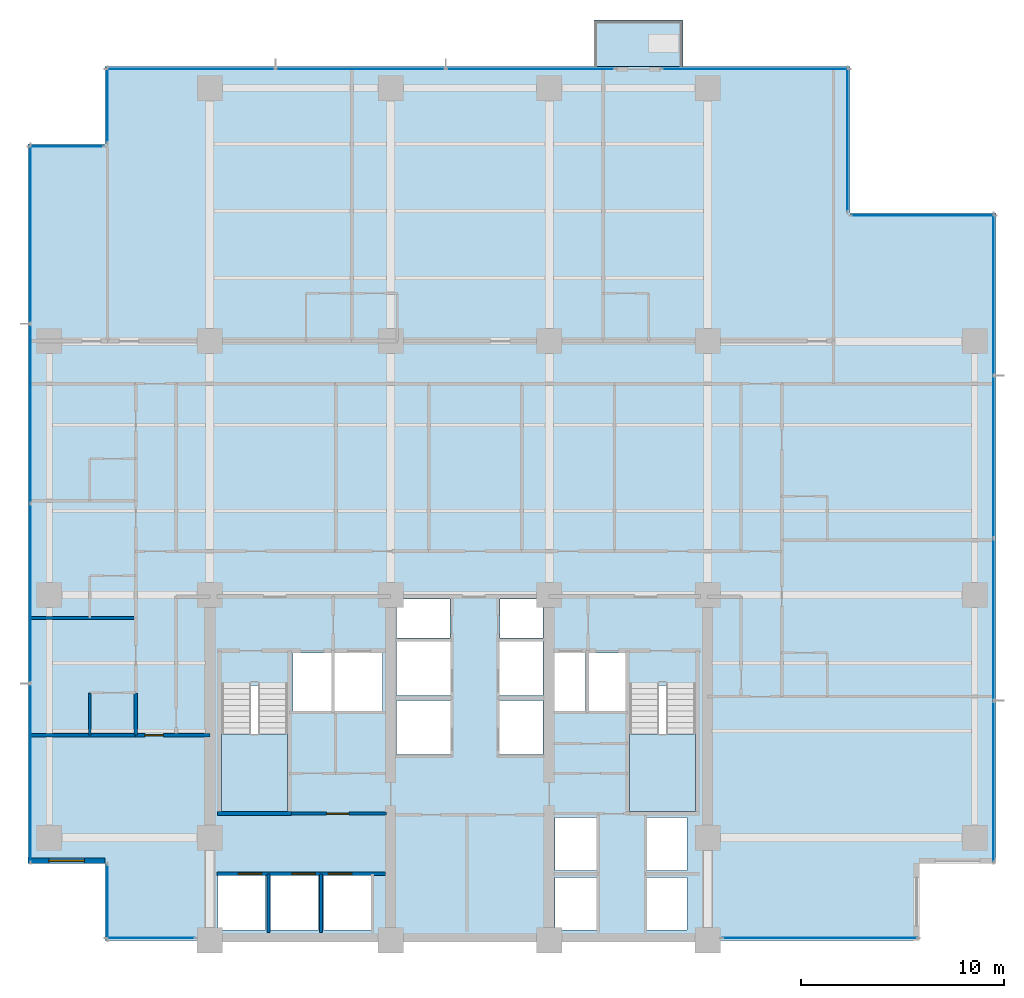
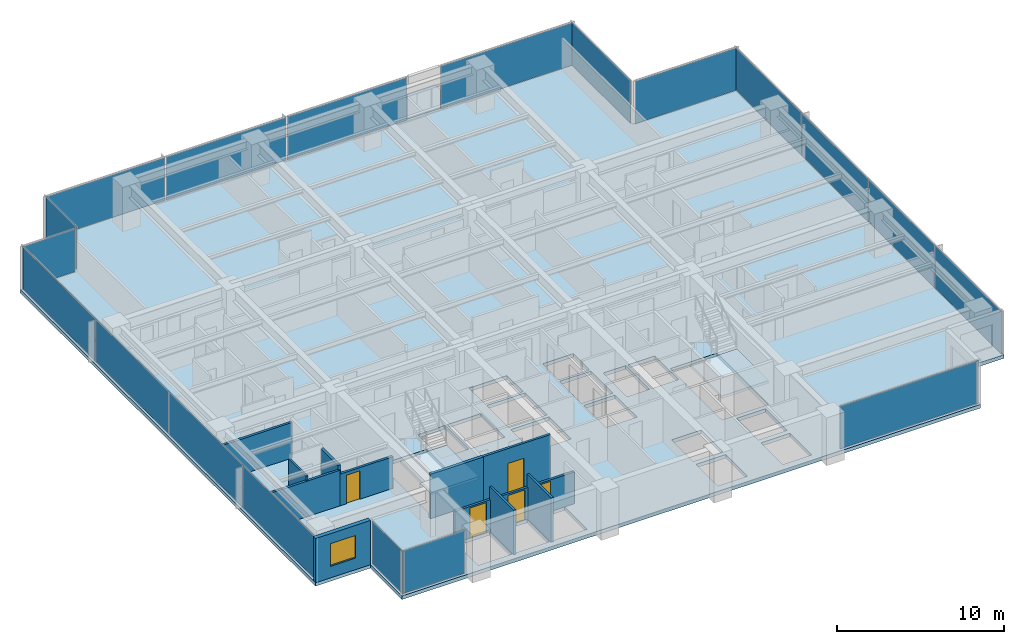
# One storey, part 7 of 17: 19 plates, 11 walls, 5 doors, 4 slabs, 1 window, 6 openings, 13 elements without a shape of their own.
"""IFC4 building model written with IfcOpenShell, lengths in metres."""

import ifcopenshell
import ifcopenshell.guid

model = None  # the IFC model being written
_history = None  # IfcOwnerHistory: only IFC2X3 demands one
_inside = {}  # id of a spatial element -> (the spatial element, [elements in it])
_under = {}  # id of a project, library or spatial element -> (it, [spatial elements below it])
_declared = {}  # id of a project -> (the project, [libraries it declares])
_typed = {}  # id of a type object -> (the type object, [elements of that type])
_made_of = {}  # id of a material, layer set ... -> (it, [elements and type objects made of it])


def new_model(schema):
    """Start an empty IFC model of exactly this schema.

    Asked for "IFC4X3", IfcOpenShell would pick the latest addendum, in which some entities
    have other attributes; the version numbers below select the first issue.
    IFC2X3 requires an IfcOwnerHistory on every rooted entity: one is made here for all.
    """
    global model, _history
    if schema == "IFC4X3":
        model = ifcopenshell.file(schema_version=(4, 3, 0, 0))
    else:
        model = ifcopenshell.file(schema=schema)
    _inside.clear()
    _under.clear()
    _declared.clear()
    _typed.clear()
    _made_of.clear()
    _history = None
    if model.schema == "IFC2X3":
        org = make("IfcOrganization", Name="unknown")
        user = make(
            "IfcPersonAndOrganization",
            ThePerson=make("IfcPerson", FamilyName="unknown"),
            TheOrganization=org,
        )
        app = make(
            "IfcApplication",
            ApplicationDeveloper=org,
            Version="unknown",
            ApplicationFullName="unknown",
            ApplicationIdentifier="unknown",
        )
        _history = make(
            "IfcOwnerHistory",
            OwningUser=user,
            OwningApplication=app,
            ChangeAction="ADDED",
            CreationDate=0,
        )
    return model


def make(cls, **values):
    """One entity of the class cls with the attributes given. An attribute that is None is left unset."""
    return model.create_entity(
        cls, **{name: value for name, value in values.items() if value is not None}
    )


def rooted(cls, **values):
    """An entity with a GlobalId (a new one), such as an element, a storey or a relation."""
    return make(cls, GlobalId=ifcopenshell.guid.new(), OwnerHistory=_history, **values)


def si_unit(unit_type, name, prefix=None):
    """IfcSIUnit, for example si_unit("LENGTHUNIT", "METRE", prefix="MILLI")."""
    return make("IfcSIUnit", UnitType=unit_type, Prefix=prefix, Name=name)


def assignment(units):
    """IfcUnitAssignment: the units of a project."""
    return None if units is None else make("IfcUnitAssignment", Units=units)


def point(xyz):
    """IfcCartesianPoint."""
    return None if xyz is None else make("IfcCartesianPoint", Coordinates=xyz)


def direction(xyz):
    """IfcDirection."""
    return None if xyz is None else make("IfcDirection", DirectionRatios=xyz)


def frame(location, z_axis=None, x_axis=None):
    """IfcAxis2Placement3D, a coordinate frame: its origin and axes. An axis left out is left unset."""
    return make(
        "IfcAxis2Placement3D",
        Location=point(location),
        Axis=direction(z_axis),
        RefDirection=direction(x_axis),
    )


def frame_2d(location, x_axis=None):
    """IfcAxis2Placement2D, a coordinate frame in the plane: its origin and x axis."""
    return make(
        "IfcAxis2Placement2D", Location=point(location), RefDirection=direction(x_axis)
    )


def origin():
    """The frame at (0, 0, 0) with its axes left unset."""
    return frame((0.0, 0.0, 0.0))


def origin_2d():
    """The frame at (0, 0) in the plane with its x axis left unset."""
    return frame_2d((0.0, 0.0))


def place(relative_to, where):
    """IfcLocalPlacement: puts the frame where relative to a parent placement (None: the world)."""
    return make(
        "IfcLocalPlacement", PlacementRelTo=relative_to, RelativePlacement=where
    )


def context(
    kind, dimensions, precision=None, world=None, true_north=None, identifier=None
):
    """IfcGeometricRepresentationContext, for example the 3D "Model" context."""
    return make(
        "IfcGeometricRepresentationContext",
        ContextIdentifier=identifier,
        ContextType=kind,
        CoordinateSpaceDimension=dimensions,
        Precision=precision,
        WorldCoordinateSystem=world,
        TrueNorth=true_north,
    )


def subcontext(parent, identifier, kind, view, scale=None):
    """IfcGeometricRepresentationSubContext, for example "Body" below "Model"."""
    return make(
        "IfcGeometricRepresentationSubContext",
        ContextIdentifier=identifier,
        ContextType=kind,
        ParentContext=parent,
        TargetScale=scale,
        TargetView=view,
    )


def project(units=None, contexts=None):
    """IfcProject with its units and contexts."""
    return rooted(
        "IfcProject",
        Name="project",
        RepresentationContexts=contexts,
        UnitsInContext=assignment(units),
    )


def spatial(cls, under=None, at=None, **own):
    """A site, building, storey or space (cls), placed at a placement, below another one or the project."""
    s = rooted(cls, ObjectPlacement=at, **own)
    if under is not None:
        _under.setdefault(under.id(), (under, []))[1].append(s)
    return s


def polyline(points):
    """IfcPolyline through the points."""
    return make("IfcPolyline", Points=[point(p) for p in points])


def profile(cls, at=None, kind="AREA", **sizes):
    """A parametric profile (cls). Its sizes go by their IFC names, for example OverallWidth=200.0."""
    return make(cls, ProfileType=kind, Position=at, **sizes)


def rectangle(**sizes):
    """IfcRectangleProfileDef."""
    return profile("IfcRectangleProfileDef", **sizes)


def outline(outer, holes=None, kind="AREA"):
    """IfcArbitraryClosedProfileDef: a profile drawn as a closed curve; with holes, ...WithVoids."""
    if holes is None:
        return make("IfcArbitraryClosedProfileDef", ProfileType=kind, OuterCurve=outer)
    return make(
        "IfcArbitraryProfileDefWithVoids",
        ProfileType=kind,
        OuterCurve=outer,
        InnerCurves=holes,
    )


def extrude(swept, where, along, depth):
    """IfcExtrudedAreaSolid: the profile swept, set in the frame where, extruded along a direction by depth."""
    return make(
        "IfcExtrudedAreaSolid",
        SweptArea=swept,
        Position=where,
        ExtrudedDirection=direction(along),
        Depth=depth,
    )


def shape(context_of_items, identifier, shape_type, items):
    """IfcShapeRepresentation: the items that make up one representation, for example the "Body"."""
    return make(
        "IfcShapeRepresentation",
        ContextOfItems=context_of_items,
        RepresentationIdentifier=identifier,
        RepresentationType=shape_type,
        Items=items,
    )


def material(Name=None, Category=None):
    """IfcMaterial."""
    return make("IfcMaterial", Name=Name, Category=Category)


def layer(
    of_material, thickness, ventilated=None, Name=None, Category=None, Priority=None
):
    """IfcMaterialLayer: one layer of a wall or slab, of a material (None: an air gap)."""
    return make(
        "IfcMaterialLayer",
        Material=of_material,
        LayerThickness=thickness,
        IsVentilated=ventilated,
        Name=Name,
        Category=Category,
        Priority=Priority,
    )


def layer_set(layers, Name=None):
    """IfcMaterialLayerSet."""
    return make("IfcMaterialLayerSet", MaterialLayers=layers, LayerSetName=Name)


def made_of(thing, what):
    """Note that an element or type object is made of a material, layer set ...; save() writes the relation."""
    if what is not None:
        _made_of.setdefault(what.id(), (what, []))[1].append(thing)
    return thing


def type_object(cls, material=None, **own):
    """A type object (cls), such as IfcWallType, which elements share."""
    return made_of(rooted(cls, **own), material)


def element(
    cls,
    number,
    at=None,
    inside=None,
    cuts=None,
    type_object=None,
    material=None,
    context=None,
    identifier="Body",
    shape_type=None,
    held_by="IfcProductDefinitionShape",
    body=None,
    shapes=None,
    **own,
):
    """One element of the class cls, such as IfcWall. Its Tag is "e" and its number.

    at: its placement. inside: the storey or other place that contains it. cuts: it is an
    opening in that element (IfcRelVoidsElement). A single representation is given by context,
    identifier, shape_type and body (its items); several are given by shapes. held_by: the class
    of the entity that holds the representations. save() writes the other relations.
    """
    e = rooted(cls, Tag="e%d" % number, ObjectPlacement=at, **own)
    if body is not None:
        shapes = [shape(context, identifier, shape_type, body)]
    if shapes is not None:
        e.Representation = make(held_by, Representations=shapes)
    if inside is not None:
        _inside.setdefault(inside.id(), (inside, []))[1].append(e)
    if cuts is not None:
        rooted(
            "IfcRelVoidsElement", RelatingBuildingElement=cuts, RelatedOpeningElement=e
        )
    if type_object is not None:
        _typed.setdefault(type_object.id(), (type_object, []))[1].append(e)
    return made_of(e, material)


def fill(opening, filler):
    """IfcRelFillsElement: the door or window that sits in an opening."""
    return rooted(
        "IfcRelFillsElement",
        RelatingOpeningElement=opening,
        RelatedBuildingElement=filler,
    )


def aggregate(whole, parts):
    """IfcRelAggregates: a whole, such as a stair, and the parts it consists of."""
    return rooted("IfcRelAggregates", RelatingObject=whole, RelatedObjects=parts)


def save(model, path):
    """Write the relations noted so far, then the file.

    IfcRelAggregates (storeys below a building ...), IfcRelContainedInSpatialStructure (elements
    in a storey), IfcRelDefinesByType, IfcRelAssociatesMaterial and IfcRelDeclares: one each for
    every whole, place, type object, material and project.
    """
    for whole, parts in _under.values():
        aggregate(whole, parts)
    for where, things in _inside.values():
        rooted(
            "IfcRelContainedInSpatialStructure",
            RelatedElements=things,
            RelatingStructure=where,
        )
    for kind, things in _typed.values():
        rooted("IfcRelDefinesByType", RelatedObjects=things, RelatingType=kind)
    for what, things in _made_of.values():
        rooted("IfcRelAssociatesMaterial", RelatedObjects=things, RelatingMaterial=what)
    for by, libraries in _declared.values():
        rooted("IfcRelDeclares", RelatingContext=by, RelatedDefinitions=libraries)
    model.write(path)


model = new_model("IFC4")

# Units and contexts
model_context = context("Model", 3, precision=1e-05, world=origin(), true_north=direction((0.0, 1.0)))
body_context = subcontext(model_context, "Body", "Model", "MODEL_VIEW")
ifc_project = project(units=[si_unit("LENGTHUNIT", "METRE"), si_unit("AREAUNIT", "SQUARE_METRE"), si_unit("VOLUMEUNIT", "CUBIC_METRE"), si_unit("PLANEANGLEUNIT", "RADIAN"), si_unit("MASSUNIT", "GRAM", prefix="KILO")], contexts=[model_context])

# Site, building, storey
site_placement = place(None, origin())
site = spatial("IfcSite", under=ifc_project, at=site_placement, CompositionType="ELEMENT")
building_placement = place(site_placement, origin())
building = spatial("IfcBuilding", under=site, at=building_placement, Name="Qalmaran Belvedere Hotel", CompositionType="ELEMENT")
storey_placement = place(building_placement, frame((0.0, 0.0, 112.699951171875)))
storey = spatial("IfcBuildingStorey", under=building, at=storey_placement, Name="L28", CompositionType="ELEMENT", Elevation=112.699951171875)

# Curtain wall, plate
ifc_material_1 = material(Name="Anodised Bronze Aluminium", Category="aluminium")
ifc_layer_1 = layer(ifc_material_1, 0.199951171875, Name="Anodised Bronze Aluminium")
ifc_layer_set_1 = layer_set([ifc_layer_1], Name="Anodised Bronze Aluminium")
curtain_wall_type = type_object("IfcCurtainWallType", Name="CW3-TOWER-LOWMID", PredefinedType="NOTDEFINED", material=ifc_layer_set_1)
curtain_wall_1_placement = place(storey_placement, origin())
curtain_wall_1 = element("IfcCurtainWall", 1, at=curtain_wall_1_placement, inside=storey, type_object=curtain_wall_type, Name="L28 Curtain Wall CW3", PredefinedType="NOTDEFINED")
ifc_material_2 = material(Name="Solar-Control Double Glazing", Category="glass")
ifc_layer_2 = layer(ifc_material_2, 0.028076171875, Name="Solar-Control Double Glazing")
ifc_layer_set_2 = layer_set([ifc_layer_2], Name="Solar-Control Double Glazing")
plate_type = type_object("IfcPlateType", Name="CWP-VISION-28", PredefinedType="CURTAIN_PANEL", material=ifc_layer_set_2)
plate_1_placement = place(storey_placement, frame((17.392578125, 3.6201171875, 0.06494140625), z_axis=(0.0, 0.0, 1.0), x_axis=(1.0, 0.0, 0.0)))
plate_1 = element("IfcPlate", 2, at=plate_1_placement, type_object=plate_type, Name="CW3 panel 1.1", PredefinedType="CURTAIN_PANEL", context=body_context, shape_type="SweptSolid", body=[
    extrude(rectangle(XDim=4.344970703125, YDim=0.028076171875, at=origin_2d()), origin(), (0.0, 0.0, 1.0), 3.110107421875),
])
aggregate(curtain_wall_1, [plate_1])

curtain_wall_2_placement = place(storey_placement, origin())
curtain_wall_2 = element("IfcCurtainWall", 3, at=curtain_wall_2_placement, inside=storey, type_object=curtain_wall_type, Name="L28 Curtain Wall CW3", PredefinedType="NOTDEFINED")
plate_2_placement = place(storey_placement, frame((50.33251953125, 3.6201171875, 0.06494140625), z_axis=(0.0, 0.0, 1.0), x_axis=(1.0, 0.0, 0.0)))
plate_2 = element("IfcPlate", 4, at=plate_2_placement, type_object=plate_type, Name="CW3 panel 1.1", PredefinedType="CURTAIN_PANEL", context=body_context, shape_type="SweptSolid", body=[
    extrude(rectangle(XDim=9.594970703125, YDim=0.028076171875, at=origin_2d()), origin(), (0.0, 0.0, 1.0), 3.110107421875),
])
aggregate(curtain_wall_2, [plate_2])

# Curtain wall, plates
curtain_wall_3_placement = place(storey_placement, origin())
curtain_wall_3 = element("IfcCurtainWall", 5, at=curtain_wall_3_placement, inside=storey, type_object=curtain_wall_type, Name="L28 Curtain Wall CW3", PredefinedType="NOTDEFINED")
plate_3_placement = place(storey_placement, frame((58.8798828125, 11.3173828125, 0.06494140625), z_axis=(0.0, 0.0, 1.0), x_axis=(0.0, 1.0, 0.0)))
plate_3 = element("IfcPlate", 6, at=plate_3_placement, type_object=plate_type, Name="CW3 panel 1.1", PredefinedType="CURTAIN_PANEL", context=body_context, shape_type="SweptSolid", body=[
    extrude(rectangle(XDim=7.89501953125, YDim=0.028076171875, at=origin_2d()), origin(), (0.0, 0.0, 1.0), 3.110107421875),
])
plate_4_placement = place(storey_placement, frame((58.8798828125, 19.300048828125, 0.06494140625), z_axis=(0.0, 0.0, 1.0), x_axis=(0.0, 1.0, 0.0)))
plate_4 = element("IfcPlate", 7, at=plate_4_placement, type_object=plate_type, Name="CW3 panel 2.1", PredefinedType="CURTAIN_PANEL", context=body_context, shape_type="SweptSolid", body=[
    extrude(rectangle(XDim=7.929931640625, YDim=0.028076171875, at=origin_2d()), origin(), (0.0, 0.0, 1.0), 3.110107421875),
])
plate_5_placement = place(storey_placement, frame((58.8798828125, 27.300048828125, 0.06494140625), z_axis=(0.0, 0.0, 1.0), x_axis=(0.0, 1.0, 0.0)))
plate_5 = element("IfcPlate", 8, at=plate_5_placement, type_object=plate_type, Name="CW3 panel 3.1", PredefinedType="CURTAIN_PANEL", context=body_context, shape_type="SweptSolid", body=[
    extrude(rectangle(XDim=7.929931640625, YDim=0.028076171875, at=origin_2d()), origin(), (0.0, 0.0, 1.0), 3.110107421875),
])
plate_6_placement = place(storey_placement, frame((58.8798828125, 35.282470703125, 0.06494140625), z_axis=(0.0, 0.0, 1.0), x_axis=(0.0, 1.0, 0.0)))
plate_6 = element("IfcPlate", 9, at=plate_6_placement, type_object=plate_type, Name="CW3 panel 4.1", PredefinedType="CURTAIN_PANEL", context=body_context, shape_type="SweptSolid", body=[
    extrude(rectangle(XDim=7.89501953125, YDim=0.028076171875, at=origin_2d()), origin(), (0.0, 0.0, 1.0), 3.110107421875),
])
aggregate(curtain_wall_3, [plate_3, plate_4, plate_5, plate_6])

# Curtain wall, plate
curtain_wall_4_placement = place(storey_placement, origin())
curtain_wall_4 = element("IfcCurtainWall", 10, at=curtain_wall_4_placement, inside=storey, type_object=curtain_wall_type, Name="L28 Curtain Wall CW3", PredefinedType="NOTDEFINED")
plate_7_placement = place(storey_placement, frame((55.39990234375, 39.179931640625, 0.06494140625), z_axis=(0.0, 0.0, 1.0), x_axis=(-1.0, 0.0, 0.0)))
plate_7 = element("IfcPlate", 11, at=plate_7_placement, type_object=plate_type, Name="CW3 panel 1.1", PredefinedType="CURTAIN_PANEL", context=body_context, shape_type="SweptSolid", body=[
    extrude(rectangle(XDim=7.06005859375, YDim=0.028076171875, at=origin_2d()), origin(), (0.0, 0.0, 1.0), 3.110107421875),
])
aggregate(curtain_wall_4, [plate_7])

curtain_wall_5_placement = place(storey_placement, origin())
curtain_wall_5 = element("IfcCurtainWall", 12, at=curtain_wall_5_placement, inside=storey, type_object=curtain_wall_type, Name="L28 Curtain Wall CW3", PredefinedType="NOTDEFINED")
plate_8_placement = place(storey_placement, frame((51.679931640625, 42.89990234375, 0.06494140625), z_axis=(0.0, 0.0, 1.0), x_axis=(0.0, 1.0, 0.0)))
plate_8 = element("IfcPlate", 13, at=plate_8_placement, type_object=plate_type, Name="CW3 panel 1.1", PredefinedType="CURTAIN_PANEL", context=body_context, shape_type="SweptSolid", body=[
    extrude(rectangle(XDim=7.06005859375, YDim=0.028076171875, at=origin_2d()), origin(), (0.0, 0.0, 1.0), 3.110107421875),
])
aggregate(curtain_wall_5, [plate_8])

# Curtain wall, plates
curtain_wall_6_placement = place(storey_placement, origin())
curtain_wall_6 = element("IfcCurtainWall", 14, at=curtain_wall_6_placement, inside=storey, type_object=curtain_wall_type, Name="L28 Curtain Wall CW3", PredefinedType="NOTDEFINED")
plate_9_placement = place(storey_placement, frame((36.0908203125, 46.3798828125, 0.06494140625), z_axis=(0.0, 0.0, 1.0), x_axis=(-1.0, 0.0, 0.0)))
plate_9 = element("IfcPlate", 15, at=plate_9_placement, type_object=plate_type, Name="CW3 panel 1.1", PredefinedType="CURTAIN_PANEL", context=body_context, shape_type="SweptSolid", body=[
    extrude(rectangle(XDim=8.2783203125, YDim=0.028076171875, at=origin_2d()), origin(), (0.0, 0.0, 1.0), 3.110107421875),
])
plate_10_placement = place(storey_placement, frame((27.72509765625, 46.3798828125, 0.06494140625), z_axis=(0.0, 0.0, 1.0), x_axis=(-1.0, 0.0, 0.0)))
plate_10 = element("IfcPlate", 16, at=plate_10_placement, type_object=plate_type, Name="CW3 panel 2.1", PredefinedType="CURTAIN_PANEL", context=body_context, shape_type="SweptSolid", body=[
    extrude(rectangle(XDim=8.313232421875, YDim=0.028076171875, at=origin_2d()), origin(), (0.0, 0.0, 1.0), 3.110107421875),
])
plate_11_placement = place(storey_placement, frame((19.359130859375, 46.3798828125, 0.06494140625), z_axis=(0.0, 0.0, 1.0), x_axis=(-1.0, 0.0, 0.0)))
plate_11 = element("IfcPlate", 17, at=plate_11_placement, type_object=plate_type, Name="CW3 panel 3.1", PredefinedType="CURTAIN_PANEL", context=body_context, shape_type="SweptSolid", body=[
    extrude(rectangle(XDim=8.2783203125, YDim=0.028076171875, at=origin_2d()), origin(), (0.0, 0.0, 1.0), 3.110107421875),
])
aggregate(curtain_wall_6, [plate_9, plate_10, plate_11])

# Curtain wall, plate
curtain_wall_7_placement = place(storey_placement, origin())
curtain_wall_7 = element("IfcCurtainWall", 18, at=curtain_wall_7_placement, inside=storey, type_object=curtain_wall_type, Name="L28 Curtain Wall CW3", PredefinedType="NOTDEFINED")
plate_12_placement = place(storey_placement, frame((47.14990234375, 46.3798828125, 0.06494140625), z_axis=(0.0, 0.0, 1.0), x_axis=(-1.0, 0.0, 0.0)))
plate_12 = element("IfcPlate", 19, at=plate_12_placement, type_object=plate_type, Name="CW3 panel 1.1", PredefinedType="CURTAIN_PANEL", context=body_context, shape_type="SweptSolid", body=[
    extrude(rectangle(XDim=9.159912109375, YDim=0.028076171875, at=origin_2d()), origin(), (0.0, 0.0, 1.0), 3.110107421875),
])
aggregate(curtain_wall_7, [plate_12])

curtain_wall_8_placement = place(storey_placement, origin())
curtain_wall_8 = element("IfcCurtainWall", 20, at=curtain_wall_8_placement, inside=storey, type_object=curtain_wall_type, Name="L28 Curtain Wall CW3", PredefinedType="NOTDEFINED")
plate_13_placement = place(storey_placement, frame((15.27001953125, 44.60009765625, 0.06494140625), z_axis=(0.0, 0.0, 1.0), x_axis=(0.0, -1.0, 0.0)))
plate_13 = element("IfcPlate", 21, at=plate_13_placement, type_object=plate_type, Name="CW3 panel 1.1", PredefinedType="CURTAIN_PANEL", context=body_context, shape_type="SweptSolid", body=[
    extrude(rectangle(XDim=3.659912109375, YDim=0.028076171875, at=origin_2d()), origin(), (0.0, 0.0, 1.0), 3.110107421875),
])
aggregate(curtain_wall_8, [plate_13])

curtain_wall_9_placement = place(storey_placement, origin())
curtain_wall_9 = element("IfcCurtainWall", 22, at=curtain_wall_9_placement, inside=storey, type_object=curtain_wall_type, Name="L28 Curtain Wall CW3", PredefinedType="NOTDEFINED")
plate_14_placement = place(storey_placement, frame((13.25, 42.580078125, 0.06494140625), z_axis=(0.0, 0.0, 1.0), x_axis=(-1.0, 0.0, 0.0)))
plate_14 = element("IfcPlate", 23, at=plate_14_placement, type_object=plate_type, Name="CW3 panel 1.1", PredefinedType="CURTAIN_PANEL", context=body_context, shape_type="SweptSolid", body=[
    extrude(rectangle(XDim=3.659912109375, YDim=0.028076171875, at=origin_2d()), origin(), (0.0, 0.0, 1.0), 3.110107421875),
])
aggregate(curtain_wall_9, [plate_14])

# Curtain wall, plates
curtain_wall_10_placement = place(storey_placement, origin())
curtain_wall_10 = element("IfcCurtainWall", 24, at=curtain_wall_10_placement, inside=storey, type_object=curtain_wall_type, Name="L28 Curtain Wall CW3", PredefinedType="NOTDEFINED")
plate_15_placement = place(storey_placement, frame((11.469970703125, 38.257568359375, 0.06494140625), z_axis=(0.0, 0.0, 1.0), x_axis=(0.0, -1.0, 0.0)))
plate_15 = element("IfcPlate", 25, at=plate_15_placement, type_object=plate_type, Name="CW3 panel 1.1", PredefinedType="CURTAIN_PANEL", context=body_context, shape_type="SweptSolid", body=[
    extrude(rectangle(XDim=8.7451171875, YDim=0.028076171875, at=origin_2d()), origin(), (0.0, 0.0, 1.0), 3.110107421875),
])
plate_16_placement = place(storey_placement, frame((11.469970703125, 29.425048828125, 0.06494140625), z_axis=(0.0, 0.0, 1.0), x_axis=(0.0, -1.0, 0.0)))
plate_16 = element("IfcPlate", 26, at=plate_16_placement, type_object=plate_type, Name="CW3 panel 2.1", PredefinedType="CURTAIN_PANEL", context=body_context, shape_type="SweptSolid", body=[
    extrude(rectangle(XDim=8.780029296875, YDim=0.028076171875, at=origin_2d()), origin(), (0.0, 0.0, 1.0), 3.110107421875),
])
plate_17_placement = place(storey_placement, frame((11.469970703125, 20.574951171875, 0.06494140625), z_axis=(0.0, 0.0, 1.0), x_axis=(0.0, -1.0, 0.0)))
plate_17 = element("IfcPlate", 27, at=plate_17_placement, type_object=plate_type, Name="CW3 panel 3.1", PredefinedType="CURTAIN_PANEL", context=body_context, shape_type="SweptSolid", body=[
    extrude(rectangle(XDim=8.780029296875, YDim=0.028076171875, at=origin_2d()), origin(), (0.0, 0.0, 1.0), 3.110107421875),
])
plate_18_placement = place(storey_placement, frame((11.469970703125, 11.742431640625, 0.06494140625), z_axis=(0.0, 0.0, 1.0), x_axis=(0.0, -1.0, 0.0)))
plate_18 = element("IfcPlate", 28, at=plate_18_placement, type_object=plate_type, Name="CW3 panel 4.1", PredefinedType="CURTAIN_PANEL", context=body_context, shape_type="SweptSolid", body=[
    extrude(rectangle(XDim=8.7451171875, YDim=0.028076171875, at=origin_2d()), origin(), (0.0, 0.0, 1.0), 3.110107421875),
])
aggregate(curtain_wall_10, [plate_15, plate_16, plate_17, plate_18])

# Curtain wall, plate
curtain_wall_11_placement = place(storey_placement, origin())
curtain_wall_11 = element("IfcCurtainWall", 29, at=curtain_wall_11_placement, inside=storey, type_object=curtain_wall_type, Name="L28 Curtain Wall CW3", PredefinedType="NOTDEFINED")
plate_19_placement = place(storey_placement, frame((15.27001953125, 5.39990234375, 0.06494140625), z_axis=(0.0, 0.0, 1.0), x_axis=(0.0, -1.0, 0.0)))
plate_19 = element("IfcPlate", 30, at=plate_19_placement, type_object=plate_type, Name="CW3 panel 1.1", PredefinedType="CURTAIN_PANEL", context=body_context, shape_type="SweptSolid", body=[
    extrude(rectangle(XDim=3.659912109375, YDim=0.028076171875, at=origin_2d()), origin(), (0.0, 0.0, 1.0), 3.110107421875),
])
aggregate(curtain_wall_11, [plate_19])

# Slab
ifc_material_3 = material(Name="Concrete C40/50", Category="concrete")
ifc_layer_3 = layer(ifc_material_3, 0.219970703125, Name="Concrete C40/50")
ifc_layer_set_3 = layer_set([ifc_layer_3], Name="Concrete C40/50")
slab_type_1 = type_object("IfcSlabType", Name="SLB-BAL-220", PredefinedType="USERDEFINED", material=ifc_layer_set_3)
slab_1_placement = place(storey_placement, frame((0.0, 0.0, -0.219970703125)))
element("IfcSlab", 31, at=slab_1_placement, inside=storey, type_object=slab_type_1, Name="L28 Planted Tree Balcony Slab 1", ObjectType="BALCONY", PredefinedType="USERDEFINED", context=body_context, shape_type="SweptSolid", body=[
    extrude(outline(polyline([(39.199951171875, 46.5), (43.60009765625, 46.5), (43.60009765625, 48.800048828125), (39.199951171875, 48.800048828125), (39.199951171875, 46.5)])), origin(), (0.0, 0.0, 1.0), 0.219970703125),
])

# Stair, slab
stair_type_1 = type_object("IfcStairType", Name="STR-ST-1-1450-R1750", PredefinedType="HALF_TURN_STAIR", material=ifc_material_3)
stair_1_placement = place(storey_placement, origin())
stair_1 = element("IfcStair", 32, at=stair_1_placement, inside=storey, type_object=stair_type_1, Name="L28 West Core Exit Stair ST-1", PredefinedType="HALF_TURN_STAIR")
ifc_layer_4 = layer(ifc_material_3, 0.199951171875, Name="Concrete C40/50")
ifc_layer_set_4 = layer_set([ifc_layer_4], Name="Concrete C40/50")
slab_type_2 = type_object("IfcSlabType", Name="SLB-STAIR-LANDING-200", PredefinedType="LANDING", material=ifc_layer_set_4)
slab_2_placement = place(storey_placement, frame((0.0, 0.0, 1.550048828125)))
slab_2 = element("IfcSlab", 33, at=slab_2_placement, type_object=slab_type_2, Name="ST-1 landing 1", PredefinedType="LANDING", context=body_context, shape_type="SweptSolid", body=[
    extrude(outline(polyline([(20.8798828125, 13.669921875), (20.8798828125, 9.85009765625), (24.1201171875, 9.85009765625), (24.1201171875, 13.669921875), (20.8798828125, 13.669921875)])), origin(), (0.0, 0.0, 1.0), 0.199951171875),
])
aggregate(stair_1, [slab_2])

stair_type_2 = type_object("IfcStairType", Name="STR-ST-2-1450-R1750", PredefinedType="HALF_TURN_STAIR", material=ifc_material_3)
stair_2_placement = place(storey_placement, origin())
stair_2 = element("IfcStair", 34, at=stair_2_placement, inside=storey, type_object=stair_type_2, Name="L28 East Core Exit Stair ST-2", PredefinedType="HALF_TURN_STAIR")
slab_3_placement = place(storey_placement, frame((0.0, 0.0, 1.550048828125)))
slab_3 = element("IfcSlab", 35, at=slab_3_placement, type_object=slab_type_2, Name="ST-2 landing 1", PredefinedType="LANDING", context=body_context, shape_type="SweptSolid", body=[
    extrude(outline(polyline([(40.9599609375, 13.669921875), (40.9599609375, 9.85009765625), (44.199951171875, 9.85009765625), (44.199951171875, 13.669921875), (40.9599609375, 13.669921875)])), origin(), (0.0, 0.0, 1.0), 0.199951171875),
])
aggregate(stair_2, [slab_3])

# Slab
ifc_layer_5 = layer(ifc_material_3, 0.260009765625, Name="Concrete C40/50")
ifc_layer_set_5 = layer_set([ifc_layer_5], Name="Concrete C40/50")
slab_type_3 = type_object("IfcSlabType", Name="SLB-Z2-260", PredefinedType="FLOOR", material=ifc_layer_set_5)
slab_4_placement = place(storey_placement, frame((0.0, 0.0, -0.260009765625)))
element("IfcSlab", 36, at=slab_4_placement, inside=storey, type_object=slab_type_3, Name="L28 Structural Floor Slab", PredefinedType="FLOOR", context=body_context, shape_type="SweptSolid", body=[
    extrude(outline(polyline([(15.14990234375, 3.5), (55.199951171875, 3.5), (55.199951171875, 7.300048828125), (59.0, 7.300048828125), (59.0, 39.300048828125), (51.800048828125, 39.300048828125), (51.800048828125, 46.5), (15.14990234375, 46.5), (15.14990234375, 42.699951171875), (11.35009765625, 42.699951171875), (11.35009765625, 7.300048828125), (15.14990234375, 7.300048828125), (15.14990234375, 3.5)]), holes=[polyline([(20.8798828125, 9.85009765625), (24.1201171875, 9.85009765625), (24.1201171875, 16.0400390625), (20.8798828125, 16.0400390625), (20.8798828125, 9.85009765625)]), polyline([(40.9599609375, 9.85009765625), (44.199951171875, 9.85009765625), (44.199951171875, 16.0400390625), (40.9599609375, 16.0400390625), (40.9599609375, 9.85009765625)]), polyline([(29.4951171875, 12.64990234375), (32.14990234375, 12.64990234375), (32.14990234375, 15.300048828125), (29.4951171875, 15.300048828125), (29.4951171875, 12.64990234375)]), polyline([(29.4951171875, 15.550048828125), (32.14990234375, 15.550048828125), (32.14990234375, 18.199951171875), (29.4951171875, 18.199951171875), (29.4951171875, 15.550048828125)]), polyline([(34.550048828125, 12.64990234375), (36.705078125, 12.64990234375), (36.705078125, 15.300048828125), (34.550048828125, 15.300048828125), (34.550048828125, 12.64990234375)]), polyline([(34.550048828125, 15.550048828125), (36.705078125, 15.550048828125), (36.705078125, 18.199951171875), (34.550048828125, 18.199951171875), (34.550048828125, 15.550048828125)]), polyline([(37.300048828125, 4.0), (39.35009765625, 4.0), (39.35009765625, 6.60009765625), (37.300048828125, 6.60009765625), (37.300048828125, 4.0)]), polyline([(37.300048828125, 6.949951171875), (39.35009765625, 6.949951171875), (39.35009765625, 9.550048828125), (37.300048828125, 9.550048828125), (37.300048828125, 6.949951171875)]), polyline([(41.800048828125, 4.0), (43.800048828125, 4.0), (43.800048828125, 6.60009765625), (41.800048828125, 6.60009765625), (41.800048828125, 4.0)]), polyline([(41.800048828125, 6.949951171875), (43.800048828125, 6.949951171875), (43.800048828125, 9.550048828125), (41.800048828125, 9.550048828125), (41.800048828125, 6.949951171875)]), polyline([(20.699951171875, 4.0), (23.050048828125, 4.0), (23.050048828125, 6.699951171875), (20.699951171875, 6.699951171875), (20.699951171875, 4.0)]), polyline([(23.300048828125, 4.0), (25.64990234375, 4.0), (25.64990234375, 6.699951171875), (23.300048828125, 6.699951171875), (23.300048828125, 4.0)]), polyline([(25.89990234375, 4.0), (28.25, 4.0), (28.25, 6.699951171875), (25.89990234375, 6.699951171875), (25.89990234375, 4.0)]), polyline([(24.39990234375, 14.800048828125), (26.300048828125, 14.800048828125), (26.300048828125, 17.64990234375), (24.39990234375, 17.64990234375), (24.39990234375, 14.800048828125)]), polyline([(38.949951171875, 14.800048828125), (40.820068359375, 14.800048828125), (40.820068359375, 17.64990234375), (38.949951171875, 17.64990234375), (38.949951171875, 14.800048828125)]), polyline([(26.449951171875, 14.800048828125), (28.800048828125, 14.800048828125), (28.800048828125, 17.64990234375), (26.449951171875, 17.64990234375), (26.449951171875, 14.800048828125)]), polyline([(37.25, 14.800048828125), (38.800048828125, 14.800048828125), (38.800048828125, 17.64990234375), (37.25, 17.64990234375), (37.25, 14.800048828125)]), polyline([(29.4951171875, 18.3798828125), (32.1201171875, 18.3798828125), (32.1201171875, 20.300048828125), (29.4951171875, 20.300048828125), (29.4951171875, 18.3798828125)]), polyline([(34.580078125, 18.3798828125), (36.705078125, 18.3798828125), (36.705078125, 20.300048828125), (34.580078125, 20.300048828125), (34.580078125, 18.3798828125)])]), origin(), (0.0, 0.0, 1.0), 0.260009765625),
])

# Wall, opening, window
ifc_material_4 = material(Name="Anodised Bronze Cladding")
ifc_layer_6 = layer(ifc_material_4, 0.280029296875, Name="Anodised Bronze Cladding")
ifc_layer_set_6 = layer_set([ifc_layer_6], Name="Anodised Bronze Cladding")
wall_type_1 = type_object("IfcWallType", Name="WL-EXT-BRNZ-280", PredefinedType="SOLIDWALL", material=ifc_layer_set_6)
wall_1_placement = place(storey_placement, frame((11.35009765625, 7.419921875, 0.0), z_axis=(0.0, 0.0, 1.0), x_axis=(1.0, 0.0, 0.0)))
wall_1 = element("IfcWall", 37, at=wall_1_placement, inside=storey, type_object=wall_type_1, Name="L28 Corner Notch Wall 10", PredefinedType="SOLIDWALL", context=body_context, shape_type="SweptSolid", body=[
    extrude(rectangle(XDim=3.7998046875, YDim=0.280029296875, at=frame_2d((1.89990234375, 0.0))), origin(), (0.0, 0.0, 1.0), 3.239990234375),
])
opening_1_placement = place(wall_1_placement, frame((1.02490234375, 0.0, 0.85009765625)))
opening_1 = element("IfcOpeningElement", 38, at=opening_1_placement, cuts=wall_1, Name="Opening W-N17", PredefinedType="OPENING", context=body_context, shape_type="SweptSolid", body=[
    extrude(rectangle(XDim=1.75, YDim=1.64990234375, at=frame_2d((0.875, 0.824951171875))), frame((0.0, 0.14990234375, 0.0), z_axis=(0.0, -1.0, 0.0), x_axis=(1.0, 0.0, 0.0)), (0.0, 0.0, 1.0), 0.300048828125),
])
window_type = type_object("IfcWindowType", Name="WN-NTC-1750X1650", PartitioningType="SINGLE_PANEL", PredefinedType="WINDOW", material=ifc_material_2)
window_placement = place(opening_1_placement, origin())
window = element("IfcWindow", 39, at=window_placement, inside=storey, type_object=window_type, Name="L28 Corner Notch Window 10", OverallHeight=1.64990234375, OverallWidth=1.75, PartitioningType="SINGLE_PANEL", PredefinedType="WINDOW", context=body_context, shape_type="SweptSolid", body=[
    extrude(rectangle(XDim=1.75, YDim=1.64990234375, at=frame_2d((0.875, 0.824951171875))), frame((0.0, 0.030029296875, 0.0), z_axis=(0.0, -1.0, 0.0), x_axis=(1.0, 0.0, 0.0)), (0.0, 0.0, 1.0), 0.06005859375),
])
fill(opening_1, window)

# Walls
ifc_material_5 = material(Name="Moisture-Resistant Gypsum")
ifc_layer_7 = layer(ifc_material_5, 0.1201171875, Name="Moisture-Resistant Gypsum")
ifc_layer_set_7 = layer_set([ifc_layer_7], Name="Moisture-Resistant Gypsum")
wall_type_2 = type_object("IfcWallType", Name="WL-INT-120-BATH", PredefinedType="PARTITIONING", material=ifc_layer_set_7)
wall_2_placement = place(storey_placement, frame((14.39990234375, 13.60009765625, 0.0), z_axis=(0.0, 0.0, 1.0), x_axis=(0.0, 1.0, 0.0)))
element("IfcWall", 40, at=wall_2_placement, inside=storey, type_object=wall_type_2, Name="L28 Partition WL-L28-WBS00", PredefinedType="PARTITIONING", context=body_context, shape_type="SweptSolid", body=[
    extrude(rectangle(XDim=2.079833984375, YDim=0.1201171875, at=frame_2d((1.0400390625, 0.0))), origin(), (0.0, 0.0, 1.0), 2.922119140625),
])
ifc_material_6 = material(Name="Gypsum Stud Partition")
ifc_layer_8 = layer(ifc_material_6, 0.14990234375, Name="Gypsum Stud Partition")
ifc_layer_set_8 = layer_set([ifc_layer_8], Name="Gypsum Stud Partition")
wall_type_3 = type_object("IfcWallType", Name="WL-INT-150-EI120", PredefinedType="PARTITIONING", material=ifc_layer_set_8)
for number, where, z_axis, x_axis, name in (
    (41, (23.179931640625, 3.89990234375, 0.0), (0.0, 0.0, 1.0), (0.0, 1.0, 0.0), "L28 Partition WL-POM1-L28"),
    (42, (25.780029296875, 3.89990234375, 0.0), (0.0, 0.0, 1.0), (0.0, 1.0, 0.0), "L28 Partition WL-POM2-L28"),
):
    element("IfcWall", number, at=place(storey_placement, frame(where, z_axis=z_axis, x_axis=x_axis)), inside=storey, type_object=wall_type_3, Name=name, PredefinedType="PARTITIONING", context=body_context, shape_type="SweptSolid", body=[
        extrude(rectangle(XDim=2.880126953125, YDim=0.14990234375, at=frame_2d((1.43994140625, 0.0))), origin(), (0.0, 0.0, 1.0), 3.239990234375),
    ])

# Wall, openings, doors
ifc_layer_9 = layer(ifc_material_6, 0.159912109375, Name="Gypsum Stud Partition")
ifc_layer_set_9 = layer_set([ifc_layer_9], Name="Gypsum Stud Partition")
wall_type_4 = type_object("IfcWallType", Name="WL-INT-160-EI120", PredefinedType="PARTITIONING", material=ifc_layer_set_9)
wall_3_placement = place(storey_placement, frame((20.64990234375, 6.780029296875, 0.0), z_axis=(0.0, 0.0, 1.0), x_axis=(1.0, 0.0, 0.0)))
wall_3 = element("IfcWall", 43, at=wall_3_placement, inside=storey, type_object=wall_type_4, Name="L28 Partition WL-POS-L28", PredefinedType="PARTITIONING", context=body_context, shape_type="SweptSolid", body=[
    extrude(rectangle(XDim=8.300048828125, YDim=0.159912109375, at=frame_2d((4.14990234375, 0.0))), origin(), (0.0, 0.0, 1.0), 2.31298828125),
])
opening_2_placement = place(wall_3_placement, frame((3.69482421875, 0.0, 0.0)))
opening_2 = element("IfcOpeningElement", 44, at=opening_2_placement, cuts=wall_3, Name="Opening LD-PO", PredefinedType="OPENING", context=body_context, shape_type="SweptSolid", body=[
    extrude(rectangle(XDim=1.14990234375, YDim=2.199951171875, at=frame_2d((0.574951171875, 1.10009765625))), frame((0.0, 0.08984375, 0.0), z_axis=(0.0, -1.0, 0.0), x_axis=(1.0, 0.0, 0.0)), (0.0, 0.0, 1.0), 0.179931640625),
])
opening_3_placement = place(wall_3_placement, frame((5.4921875, 0.0, 0.0)))
opening_3 = element("IfcOpeningElement", 45, at=opening_3_placement, cuts=wall_3, Name="Opening LD-PO", PredefinedType="OPENING", context=body_context, shape_type="SweptSolid", body=[
    extrude(rectangle(XDim=1.14990234375, YDim=2.199951171875, at=frame_2d((0.574951171875, 1.10009765625))), frame((0.0, 0.08984375, 0.0), z_axis=(0.0, -1.0, 0.0), x_axis=(1.0, 0.0, 0.0)), (0.0, 0.0, 1.0), 0.179931640625),
])
opening_4_placement = place(wall_3_placement, frame((1.058837890625, 0.0, 0.0)))
opening_4 = element("IfcOpeningElement", 46, at=opening_4_placement, cuts=wall_3, Name="Opening LD-PO", PredefinedType="OPENING", context=body_context, shape_type="SweptSolid", body=[
    extrude(rectangle(XDim=1.14990234375, YDim=2.199951171875, at=frame_2d((0.574951171875, 1.10009765625))), frame((0.0, 0.08984375, 0.0), z_axis=(0.0, -1.0, 0.0), x_axis=(1.0, 0.0, 0.0)), (0.0, 0.0, 1.0), 0.179931640625),
])
door_type_1 = type_object("IfcDoorType", Name="DR-LIFT-PO-1150X2200", OperationType="DOUBLE_DOOR_SLIDING", PredefinedType="DOOR", material=ifc_material_1)
door_1_placement = place(opening_2_placement, origin())
door_1 = element("IfcDoor", 47, at=door_1_placement, inside=storey, type_object=door_type_1, Name="L28 PO1 Shuttle Landing Door", OperationType="DOUBLE_DOOR_SLIDING", OverallHeight=2.199951171875, OverallWidth=1.14990234375, PredefinedType="DOOR", context=body_context, shape_type="SweptSolid", body=[
    extrude(rectangle(XDim=1.14990234375, YDim=2.199951171875, at=frame_2d((0.574951171875, 1.10009765625))), frame((0.0, 0.02490234375, 0.0), z_axis=(0.0, -1.0, 0.0), x_axis=(1.0, 0.0, 0.0)), (0.0, 0.0, 1.0), 0.050048828125),
])
fill(opening_2, door_1)
door_2_placement = place(opening_3_placement, origin())
door_2 = element("IfcDoor", 48, at=door_2_placement, inside=storey, type_object=door_type_1, Name="L28 PO2 Shuttle Landing Door", OperationType="DOUBLE_DOOR_SLIDING", OverallHeight=2.199951171875, OverallWidth=1.14990234375, PredefinedType="DOOR", context=body_context, shape_type="SweptSolid", body=[
    extrude(rectangle(XDim=1.14990234375, YDim=2.199951171875, at=frame_2d((0.574951171875, 1.10009765625))), frame((0.0, 0.02490234375, 0.0), z_axis=(0.0, -1.0, 0.0), x_axis=(1.0, 0.0, 0.0)), (0.0, 0.0, 1.0), 0.050048828125),
])
fill(opening_3, door_2)
door_3_placement = place(opening_4_placement, origin())
door_3 = element("IfcDoor", 49, at=door_3_placement, inside=storey, type_object=door_type_1, Name="L28 PO3 Shuttle Landing Door", OperationType="DOUBLE_DOOR_SLIDING", OverallHeight=2.199951171875, OverallWidth=1.14990234375, PredefinedType="DOOR", context=body_context, shape_type="SweptSolid", body=[
    extrude(rectangle(XDim=1.14990234375, YDim=2.199951171875, at=frame_2d((0.574951171875, 1.10009765625))), frame((0.0, 0.02490234375, 0.0), z_axis=(0.0, -1.0, 0.0), x_axis=(1.0, 0.0, 0.0)), (0.0, 0.0, 1.0), 0.050048828125),
])
fill(opening_4, door_3)

# Wall, opening, door
wall_4_placement = place(storey_placement, frame((24.199951171875, 9.739990234375, 0.0), z_axis=(0.0, 0.0, 1.0), x_axis=(1.0, 0.0, 0.0)))
wall_4 = element("IfcWall", 50, at=wall_4_placement, inside=storey, type_object=wall_type_4, Name="L28 Partition WL-PON-L28", PredefinedType="PARTITIONING", context=body_context, shape_type="SweptSolid", body=[
    extrude(rectangle(XDim=4.800048828125, YDim=0.159912109375, at=frame_2d((2.39990234375, 0.0))), origin(), (0.0, 0.0, 1.0), 3.239990234375),
])
opening_5_placement = place(wall_4_placement, frame((1.85009765625, 0.0, 0.0)))
opening_5 = element("IfcOpeningElement", 51, at=opening_5_placement, cuts=wall_4, Name="Opening FD90", PredefinedType="OPENING", context=body_context, shape_type="SweptSolid", body=[
    extrude(rectangle(XDim=1.10009765625, YDim=2.14990234375, at=frame_2d((0.550048828125, 1.074951171875))), frame((0.0, 0.08984375, 0.0), z_axis=(0.0, -1.0, 0.0), x_axis=(1.0, 0.0, 0.0)), (0.0, 0.0, 1.0), 0.179931640625),
])
ifc_material_7 = material(Name="Steel S355JR", Category="steel")
door_type_2 = type_object("IfcDoorType", Name="DR-FD90-1100X2150", OperationType="NOTDEFINED", PredefinedType="DOOR", material=ifc_material_7)
door_4_placement = place(opening_5_placement, origin())
door_4 = element("IfcDoor", 52, at=door_4_placement, inside=storey, type_object=door_type_2, Name="L28 Shuttle Lobby Passage Door", OperationType="SINGLE_SWING_LEFT", OverallHeight=2.14990234375, OverallWidth=1.10009765625, PredefinedType="DOOR", context=body_context, shape_type="SweptSolid", body=[
    extrude(rectangle(XDim=1.10009765625, YDim=2.14990234375, at=frame_2d((0.550048828125, 1.074951171875))), frame((0.0, 0.02490234375, 0.0), z_axis=(0.0, -1.0, 0.0), x_axis=(1.0, 0.0, 0.0)), (0.0, 0.0, 1.0), 0.050048828125),
])
fill(opening_5, door_4)

ifc_layer_10 = layer(ifc_material_6, 0.159912109375, Name="Gypsum Stud Partition")
ifc_layer_set_10 = layer_set([ifc_layer_10], Name="Gypsum Stud Partition")
wall_type_5 = type_object("IfcWallType", Name="WL-INT-160-EI60", PredefinedType="PARTITIONING", material=ifc_layer_set_10)
wall_5_placement = place(storey_placement, frame((16.64990234375, 13.60009765625, 0.0), z_axis=(0.0, 0.0, 1.0), x_axis=(1.0, 0.0, 0.0)))
wall_5 = element("IfcWall", 53, at=wall_5_placement, inside=storey, type_object=wall_type_5, Name="L28 Partition WL-L28-SWRL", PredefinedType="PARTITIONING", context=body_context, shape_type="SweptSolid", body=[
    extrude(rectangle(XDim=3.650146484375, YDim=0.159912109375, at=frame_2d((1.8251953125, 0.0))), origin(), (0.0, 0.0, 1.0), 2.31298828125),
])
opening_6_placement = place(wall_5_placement, frame((1.369873046875, 0.0, 0.0), z_axis=(0.0, 0.0, 1.0), x_axis=(-1.0, 0.0, 0.0)))
opening_6 = element("IfcOpeningElement", 54, at=opening_6_placement, cuts=wall_5, Name="Opening FD60S1", PredefinedType="OPENING", context=body_context, shape_type="SweptSolid", body=[
    extrude(rectangle(XDim=0.919921875, YDim=2.080078125, at=frame_2d((0.4599609375, 1.0400390625))), frame((0.0, 0.08984375, 0.0), z_axis=(0.0, -1.0, 0.0), x_axis=(1.0, 0.0, 0.0)), (0.0, 0.0, 1.0), 0.179931640625),
])
ifc_material_8 = material(Name="Engineered Oak Veneer")
door_type_3 = type_object("IfcDoorType", Name="DR-FD60S-920X2080", OperationType="NOTDEFINED", PredefinedType="DOOR", material=ifc_material_8)
door_5_placement = place(opening_6_placement, origin())
door_5 = element("IfcDoor", 55, at=door_5_placement, inside=storey, type_object=door_type_3, Name="L28 SW Lounge Door", OperationType="SINGLE_SWING_LEFT", OverallHeight=2.080078125, OverallWidth=0.919921875, PredefinedType="DOOR", context=body_context, shape_type="SweptSolid", body=[
    extrude(rectangle(XDim=0.919921875, YDim=2.080078125, at=frame_2d((0.4599609375, 1.0400390625))), frame((0.0, 0.02490234375, 0.0), z_axis=(0.0, -1.0, 0.0), x_axis=(1.0, 0.0, 0.0)), (0.0, 0.0, 1.0), 0.050048828125),
])
fill(opening_6, door_5)

# Walls
for number, where, z_axis, x_axis, name in (
    (56, (11.469970703125, 13.60009765625, 0.0), (0.0, 0.0, 1.0), (1.0, 0.0, 0.0), "L28 Partition WL-L28-WBOT"),
    (57, (11.469970703125, 19.36669921875, 0.0), (0.0, 0.0, 1.0), (1.0, 0.0, 0.0), "L28 Partition WL-L28-WU00"),
):
    element("IfcWall", number, at=place(storey_placement, frame(where, z_axis=z_axis, x_axis=x_axis)), inside=storey, type_object=wall_type_5, Name=name, PredefinedType="PARTITIONING", context=body_context, shape_type="SweptSolid", body=[
        extrude(rectangle(XDim=5.179931640625, YDim=0.159912109375, at=frame_2d((2.58984375, 0.0))), origin(), (0.0, 0.0, 1.0), 2.60302734375),
    ])
ifc_layer_11 = layer(ifc_material_6, 0.179931640625, Name="Gypsum Stud Partition")
ifc_layer_set_11 = layer_set([ifc_layer_11], Name="Gypsum Stud Partition")
wall_type_6 = type_object("IfcWallType", Name="WL-INT-180-EI60", PredefinedType="PARTITIONING", material=ifc_layer_set_11)
wall_6_placement = place(storey_placement, frame((16.64990234375, 13.60009765625, 0.0), z_axis=(0.0, 0.0, 1.0), x_axis=(0.0, 1.0, 0.0)))
element("IfcWall", 58, at=wall_6_placement, inside=storey, type_object=wall_type_6, Name="L28 Partition WL-L28-WBC00", PredefinedType="PARTITIONING", context=body_context, shape_type="SweptSolid", body=[
    extrude(rectangle(XDim=2.079833984375, YDim=0.179931640625, at=frame_2d((1.0400390625, 0.0))), origin(), (0.0, 0.0, 1.0), 2.922119140625),
])
ifc_material_9 = material(Name="Concrete C50/60", Category="concrete")
ifc_layer_12 = layer(ifc_material_9, 0.2099609375, Name="Concrete C50/60")
ifc_layer_set_12 = layer_set([ifc_layer_12], Name="Concrete C50/60")
wall_type_7 = type_object("IfcWallType", Name="WL-STAIR-210-C50", PredefinedType="SHEAR", material=ifc_layer_set_12)
wall_7_placement = place(storey_placement, frame((20.669921875, 9.7451171875, 0.0), z_axis=(0.0, 0.0, 1.0), x_axis=(1.0, 0.0, 0.0)))
element("IfcWall", 59, at=wall_7_placement, inside=storey, type_object=wall_type_7, Name="L28 Stair ST-1 South Bearing Wall", PredefinedType="SHEAR", context=body_context, shape_type="SweptSolid", body=[
    extrude(rectangle(XDim=3.66015625, YDim=0.2099609375, at=frame_2d((1.830078125, 0.0))), origin(), (0.0, 0.0, 1.0), 3.239990234375),
])

save(model, "model.ifc")
